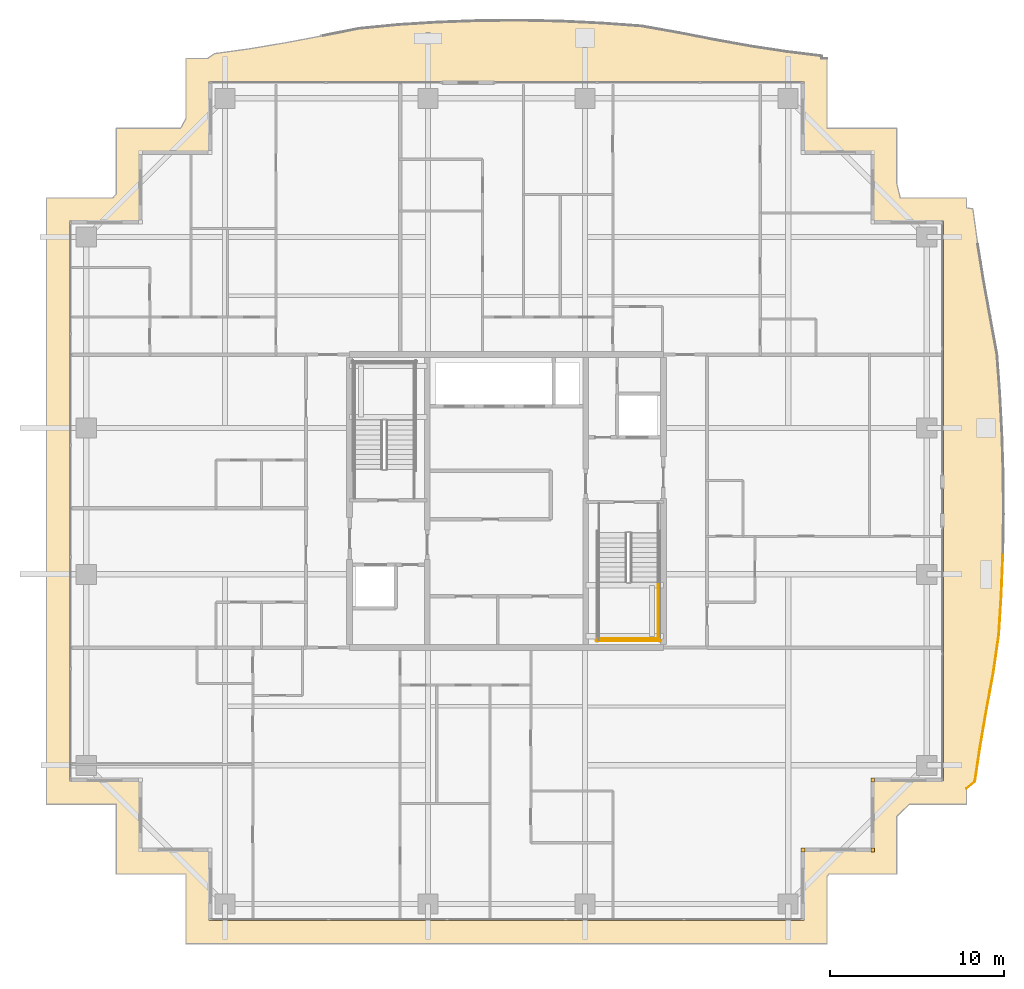
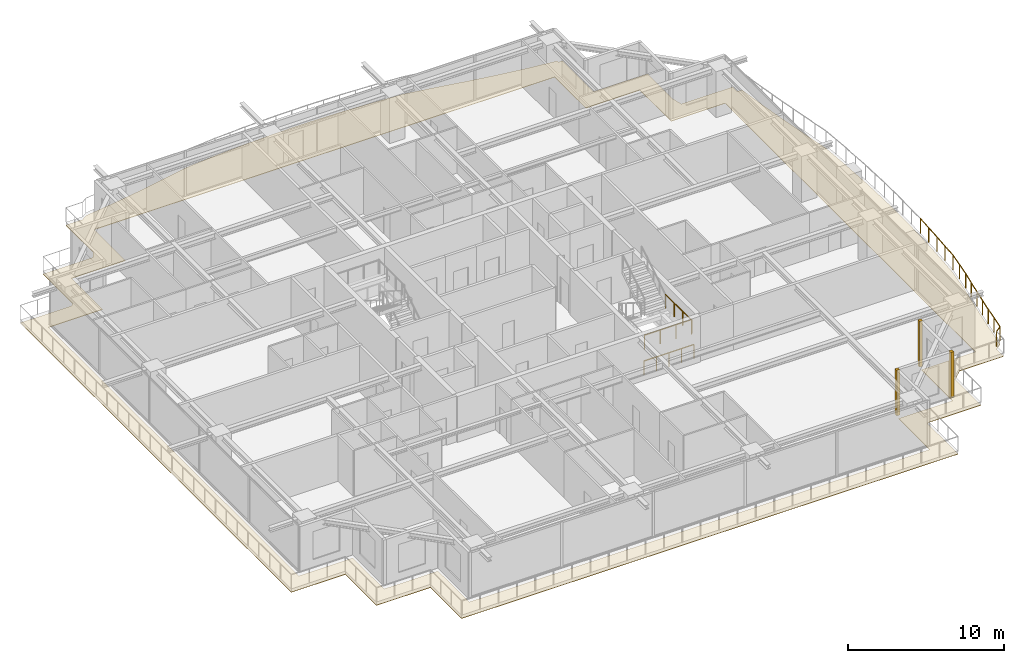
# One storey, part 35 of 37: 4 coverings, 4 railings.
"""IFC4 building model written with IfcOpenShell, lengths in metres."""

from ifc_helpers import new_model, si_unit, direction, frame, origin, origin_2d, place, context, subcontext, project, spatial, polyline, rectangle, circle, outline, extrude, source, transform, mapped, material, layer, layer_set, type_object, element, save


model = new_model("IFC4")

# Units and contexts
model_context = context("Model", 3, precision=1e-05, world=origin(), true_north=direction((0.0, 1.0)))
body_context = subcontext(model_context, "Body", "Model", "MODEL_VIEW")
ifc_project = project(units=[si_unit("LENGTHUNIT", "METRE"), si_unit("AREAUNIT", "SQUARE_METRE"), si_unit("VOLUMEUNIT", "CUBIC_METRE"), si_unit("PLANEANGLEUNIT", "RADIAN"), si_unit("MASSUNIT", "GRAM", prefix="KILO")], contexts=[model_context])

# Site, building, storey
site_placement = place(None, origin())
site = spatial("IfcSite", under=ifc_project, at=site_placement, CompositionType="ELEMENT")
building_placement = place(site_placement, origin())
building = spatial("IfcBuilding", under=site, at=building_placement, Name="Serunith Strait Residences", CompositionType="ELEMENT")
storey_placement = place(building_placement, frame((0.0, 0.0, 248.949951171875)))
storey = spatial("IfcBuildingStorey", under=building, at=storey_placement, Name="L62", CompositionType="ELEMENT", Elevation=248.949951171875)

# Covering
ifc_material_1 = material(Name="Golden Teak Exterior Timber Boarding", Category="wood")
ifc_layer_1 = layer(ifc_material_1, 0.034912109375, Name="Golden Teak Exterior Timber Boarding")
ifc_layer_set_1 = layer_set([ifc_layer_1], Name="Golden Teak Exterior Timber Boarding")
covering_type_1 = type_object("IfcCoveringType", Name="COV-TEAK-SOFFIT", PredefinedType="CEILING", material=ifc_layer_set_1)
covering_placement = place(storey_placement, frame((0.0, 0.0, -0.324951171875)))
element("IfcCovering", 1, at=covering_placement, inside=storey, type_object=covering_type_1, Name="L62 Golden-Teak Balcony Soffit Lining", PredefinedType="CEILING", context=body_context, shape_type="SweptSolid", body=[
    extrude(outline(polyline([(10.02001953125, 46.580078125), (13.707763671875, 46.580078125), (14.02001953125, 47.14453125), (14.02001953125, 50.580078125), (15.2509765625, 50.580078125), (15.65087890625, 50.8583984375), (17.673828125, 51.139404296875), (19.715576171875, 51.481201171875), (21.79443359375, 51.875732421875), (23.931640625, 52.298828125), (26.1865234375, 52.520263671875), (28.490478515625, 52.66162109375), (30.82177734375, 52.746826171875), (33.165771484375, 52.7666015625), (35.50537109375, 52.718017578125), (37.82421875, 52.6064453125), (40.109619140625, 52.443603515625), (42.286376953125, 52.060791015625), (44.384765625, 51.6494140625), (46.437255859375, 51.2822265625), (48.464111328125, 50.97412109375), (50.48095703125, 50.726318359375), (50.479736328125, 50.580078125), (50.780029296875, 50.580078125), (50.780029296875, 46.580078125), (54.780029296875, 46.580078125), (54.780029296875, 43.4013671875), (54.9794921875, 42.580078125), (58.780029296875, 42.580078125), (58.780029296875, 42.0185546875), (59.140380859375, 41.95751953125), (59.422119140625, 39.927001953125), (59.756103515625, 37.875), (60.13232421875, 35.784423828125), (60.526123046875, 33.637939453125), (60.69140625, 31.376953125), (60.813720703125, 29.083251953125), (60.88720703125, 26.766845703125), (60.90478515625, 24.43994140625), (60.86474609375, 22.1162109375), (60.7705078125, 19.8095703125), (60.6298828125, 17.531005859375), (60.31005859375, 15.33837890625), (59.92138671875, 13.228271484375), (59.565673828125, 11.164306640625), (59.259765625, 9.12890625), (58.780029296875, 8.723876953125), (58.780029296875, 7.820068359375), (55.517822265625, 7.820068359375), (54.780029296875, 7.1328125), (54.780029296875, 3.820068359375), (50.883544921875, 3.820068359375), (50.780029296875, 3.662109375), (50.780029296875, -0.179931640625), (14.02001953125, -0.179931640625), (14.02001953125, 3.820068359375), (10.02001953125, 3.820068359375), (10.02001953125, 7.820068359375), (6.02001953125, 7.820068359375), (6.02001953125, 42.580078125), (9.824951171875, 42.580078125), (10.02001953125, 42.802001953125), (10.02001953125, 46.580078125)]), holes=[polyline([(49.455078125, 1.14501953125), (49.455078125, 5.14501953125), (53.455078125, 5.14501953125), (53.455078125, 9.14501953125), (57.455078125, 9.14501953125), (57.455078125, 41.2548828125), (53.455078125, 41.2548828125), (53.455078125, 45.2548828125), (49.455078125, 45.2548828125), (49.455078125, 49.2548828125), (15.344970703125, 49.2548828125), (15.344970703125, 45.2548828125), (11.344970703125, 45.2548828125), (11.344970703125, 41.2548828125), (7.344970703125, 41.2548828125), (7.344970703125, 9.14501953125), (11.344970703125, 9.14501953125), (11.344970703125, 5.14501953125), (15.344970703125, 5.14501953125), (15.344970703125, 1.14501953125), (49.455078125, 1.14501953125)])]), origin(), (0.0, 0.0, 1.0), 0.034912109375),
])

# Railings
ifc_material_2 = material(Name="Stainless Steel & Laminated Glass Balustrade", Category="steel")
railing_type_1 = type_object("IfcRailingType", Name="RLG-BALC-1150", PredefinedType="BALUSTRADE", material=ifc_material_2)
railing_1_placement = place(storey_placement, frame((60.86474609375, 22.1162109375, -0.050048828125)))
element("IfcRailing", 2, at=railing_1_placement, inside=storey, type_object=railing_type_1, Name="L62 Swirling Balcony Perimeter Balustrade 6", PredefinedType="BALUSTRADE", context=body_context, shape_type="SweptSolid", body=[
    extrude(circle(Radius=0.02392578125, at=origin_2d()), frame((0.0, -0.001953125, 1.1259765625), z_axis=(-0.040821153383, -0.999166469332, 0.0), x_axis=(0.999166469332, -0.040821153383, 0.0)), (0.0, 0.0, 1.0), 2.304443359375),
    extrude(circle(Radius=0.02392578125, at=origin_2d()), frame((-0.094482421875, -2.30859375, 1.1259765625), z_axis=(-0.061599287835, -0.998100960694, 0.0), x_axis=(0.998100960694, -0.061599287835, 0.0)), (0.0, 0.0, 1.0), 2.27880859375),
    extrude(circle(Radius=0.02392578125, at=origin_2d()), frame((-0.235107421875, -4.587158203125, 1.1259765625), z_axis=(-0.144336112078, -0.989528719518, 0.0), x_axis=(0.989528719518, -0.144336112078, 0.0)), (0.0, 0.0, 1.0), 2.2119140625),
    extrude(circle(Radius=0.02392578125, at=origin_2d()), frame((-0.554931640625, -6.77978515625, 1.1259765625), z_axis=(-0.181147948938, -0.983455855947, 0.0), x_axis=(0.983455855947, -0.181147948938, 0.0)), (0.0, 0.0, 1.0), 2.1416015625),
    extrude(circle(Radius=0.02392578125, at=origin_2d()), frame((-0.943603515625, -8.889892578125, 1.1259765625), z_axis=(-0.169840555435, -0.985471555008, 0.0), x_axis=(0.985471555008, -0.169840555435, 0.0)), (0.0, 0.0, 1.0), 2.09033203125),
    extrude(circle(Radius=0.02392578125, at=origin_2d()), frame((-1.29931640625, -10.953857421875, 1.1259765625), z_axis=(-0.148624658907, -0.988893680213, 0.0), x_axis=(0.988893680213, -0.148624658907, 0.0)), (0.0, 0.0, 1.0), 2.05419921875),
    extrude(circle(Radius=0.02392578125, at=origin_2d()), frame((-1.6064453125, -12.988525390625, 1.1259765625), z_axis=(-0.764093805306, -0.645105151656, 0.0), x_axis=(0.645105151656, -0.764093805306, 0.0)), (0.0, 0.0, 1.0), 0.623779296875),
    extrude(circle(Radius=0.02099609375, at=origin_2d()), origin(), (0.0, 0.0, 1.0), 1.099853515625),
    extrude(circle(Radius=0.02099609375, at=origin_2d()), frame((-0.047119140625, -1.1533203125, 0.0)), (0.0, 0.0, 1.0), 1.099853515625),
    extrude(circle(Radius=0.02099609375, at=origin_2d()), frame((-0.09423828125, -2.306640625, 0.0)), (0.0, 0.0, 1.0), 1.099853515625),
    extrude(circle(Radius=0.02099609375, at=origin_2d()), frame((-0.16455078125, -3.44580078125, 0.0)), (0.0, 0.0, 1.0), 1.099853515625),
    extrude(circle(Radius=0.02099609375, at=origin_2d()), frame((-0.23486328125, -4.585205078125, 0.0)), (0.0, 0.0, 1.0), 1.099853515625),
    extrude(circle(Radius=0.02099609375, at=origin_2d()), frame((-0.394775390625, -5.681640625, 0.0)), (0.0, 0.0, 1.0), 1.099853515625),
    extrude(circle(Radius=0.02099609375, at=origin_2d()), frame((-0.5546875, -6.77783203125, 0.0)), (0.0, 0.0, 1.0), 1.099853515625),
    extrude(circle(Radius=0.02099609375, at=origin_2d()), frame((-0.7490234375, -7.8330078125, 0.0)), (0.0, 0.0, 1.0), 1.099853515625),
    extrude(circle(Radius=0.02099609375, at=origin_2d()), frame((-0.943359375, -8.887939453125, 0.0)), (0.0, 0.0, 1.0), 1.099853515625),
    extrude(circle(Radius=0.02099609375, at=origin_2d()), frame((-1.12109375, -9.919921875, 0.0)), (0.0, 0.0, 1.0), 1.099853515625),
    extrude(circle(Radius=0.02099609375, at=origin_2d()), frame((-1.299072265625, -10.951904296875, 0.0)), (0.0, 0.0, 1.0), 1.099853515625),
    extrude(circle(Radius=0.02099609375, at=origin_2d()), frame((-1.4521484375, -11.9697265625, 0.0)), (0.0, 0.0, 1.0), 1.099853515625),
    extrude(circle(Radius=0.02099609375, at=origin_2d()), frame((-1.60498046875, -12.9873046875, 0.0)), (0.0, 0.0, 1.0), 1.099853515625),
    extrude(circle(Radius=0.02099609375, at=origin_2d()), frame((-2.084716796875, -13.392333984375, 0.0)), (0.0, 0.0, 1.0), 1.099853515625),
])
ifc_material_3 = material(Name="Brushed stainless steel 316L", Category="steel")
railing_type_2 = type_object("IfcRailingType", Name="RLG-STAIR-GUARD", PredefinedType="BALUSTRADE", material=ifc_material_3)
railing_2_placement = place(storey_placement, frame((41.10009765625, 20.570068359375, 1.925048828125)))
element("IfcRailing", 3, at=railing_2_placement, inside=storey, type_object=railing_type_2, Name="L62 ST-2 stair guard 4", PredefinedType="BALUSTRADE", context=body_context, shape_type="SweptSolid", body=[
    extrude(circle(Radius=0.02392578125, at=origin_2d()), frame((0.0, -0.001953125, 1.076171875), z_axis=(0.0, -1.0, 0.0), x_axis=(1.0, 0.0, 0.0)), (0.0, 0.0, 1.0), 3.316162109375),
    extrude(circle(Radius=0.02099609375, at=origin_2d()), origin(), (0.0, 0.0, 1.0), 1.050048828125),
    extrude(circle(Radius=0.02099609375, at=origin_2d()), frame((0.0, -1.106689453125, 0.0)), (0.0, 0.0, 1.0), 1.050048828125),
    extrude(circle(Radius=0.02099609375, at=origin_2d()), frame((0.0, -2.21337890625, 0.0)), (0.0, 0.0, 1.0), 1.050048828125),
    extrude(circle(Radius=0.02099609375, at=origin_2d()), frame((0.0, -3.320068359375, 0.0)), (0.0, 0.0, 1.0), 1.050048828125),
])
railing_3_placement = place(storey_placement, frame((37.64990234375, 17.300048828125, 1.925048828125)))
element("IfcRailing", 4, at=railing_3_placement, inside=storey, type_object=railing_type_2, Name="L62 ST-2 stair guard 5", PredefinedType="BALUSTRADE", context=body_context, shape_type="SweptSolid", body=[
    extrude(circle(Radius=0.02392578125, at=origin_2d()), frame((0.001953125, 0.0, 1.076171875), z_axis=(1.0, 0.0, 0.0), x_axis=(0.0, 1.0, 0.0)), (0.0, 0.0, 1.0), 3.49609375),
    extrude(circle(Radius=0.02099609375, at=origin_2d()), origin(), (0.0, 0.0, 1.0), 1.050048828125),
    extrude(circle(Radius=0.02099609375, at=origin_2d()), frame((1.166748046875, 0.0, 0.0)), (0.0, 0.0, 1.0), 1.050048828125),
    extrude(circle(Radius=0.02099609375, at=origin_2d()), frame((2.333251953125, 0.0, 0.0)), (0.0, 0.0, 1.0), 1.050048828125),
    extrude(circle(Radius=0.02099609375, at=origin_2d()), frame((3.5, 0.0, 0.0)), (0.0, 0.0, 1.0), 1.050048828125),
])
railing_4_placement = place(storey_placement, frame((37.550048828125, 17.199951171875, 0.0)))
element("IfcRailing", 5, at=railing_4_placement, inside=storey, type_object=railing_type_2, Name="L62 ST-2 stair guard 12", PredefinedType="BALUSTRADE", context=body_context, shape_type="SweptSolid", body=[
    extrude(circle(Radius=0.02392578125, at=origin_2d()), frame((0.001953125, 0.0, 1.076171875), z_axis=(1.0, 0.0, 0.0), x_axis=(0.0, 1.0, 0.0)), (0.0, 0.0, 1.0), 3.696044921875),
    extrude(circle(Radius=0.02099609375, at=origin_2d()), origin(), (0.0, 0.0, 1.0), 1.050048828125),
    extrude(circle(Radius=0.02099609375, at=origin_2d()), frame((0.925048828125, 0.0, 0.0)), (0.0, 0.0, 1.0), 1.050048828125),
    extrude(circle(Radius=0.02099609375, at=origin_2d()), frame((1.85009765625, 0.0, 0.0)), (0.0, 0.0, 1.0), 1.050048828125),
    extrude(circle(Radius=0.02099609375, at=origin_2d()), frame((2.77490234375, 0.0, 0.0)), (0.0, 0.0, 1.0), 1.050048828125),
    extrude(circle(Radius=0.02099609375, at=origin_2d()), frame((3.699951171875, 0.0, 0.0)), (0.0, 0.0, 1.0), 1.050048828125),
])

# Coverings
ifc_material_4 = material(Name="Pale-Champagne Anodised Aluminium", Category="aluminium")
ifc_layer_2 = layer(ifc_material_4, 0.219970703125, Name="Pale-Champagne Anodised Aluminium")
ifc_layer_set_2 = layer_set([ifc_layer_2], Name="Pale-Champagne Anodised Aluminium")
covering_type_2 = type_object("IfcCoveringType", Name="COV-CORN-TRIM", PredefinedType="CLADDING", material=ifc_layer_set_2)
shared_shape = source(origin(), body_context, "Body", "SweptSolid", [
    extrude(rectangle(XDim=0.221923828125, YDim=0.221923828125, at=origin_2d()), origin(), (0.0, 0.0, 1.0), 3.574951171875),
])
for number, where, z_axis, x_axis, name in (
    (6, (49.39990234375, 5.199951171875, 0.0), (0.0, 0.0, 1.0), (1.0, 0.0, 0.0), "L62 Girih Serrated Corner Trim Post 02"),
    (7, (53.39990234375, 5.199951171875, 0.0), (0.0, 0.0, 1.0), (1.0, 0.0, 0.0), "L62 Girih Serrated Corner Trim Post 03"),
    (8, (53.39990234375, 9.199951171875, 0.0), (0.0, 0.0, 1.0), (1.0, 0.0, 0.0), "L62 Girih Serrated Corner Trim Post 04"),
):
    element("IfcCovering", number, at=place(storey_placement, frame(where, z_axis=z_axis, x_axis=x_axis)), inside=storey, type_object=covering_type_2, Name=name, PredefinedType="CLADDING", context=body_context, shape_type="MappedRepresentation", body=[
        mapped(shared_shape, transform((0.0, 0.0, 0.0), scale=1.0)),
    ])

save(model, "model.ifc")
